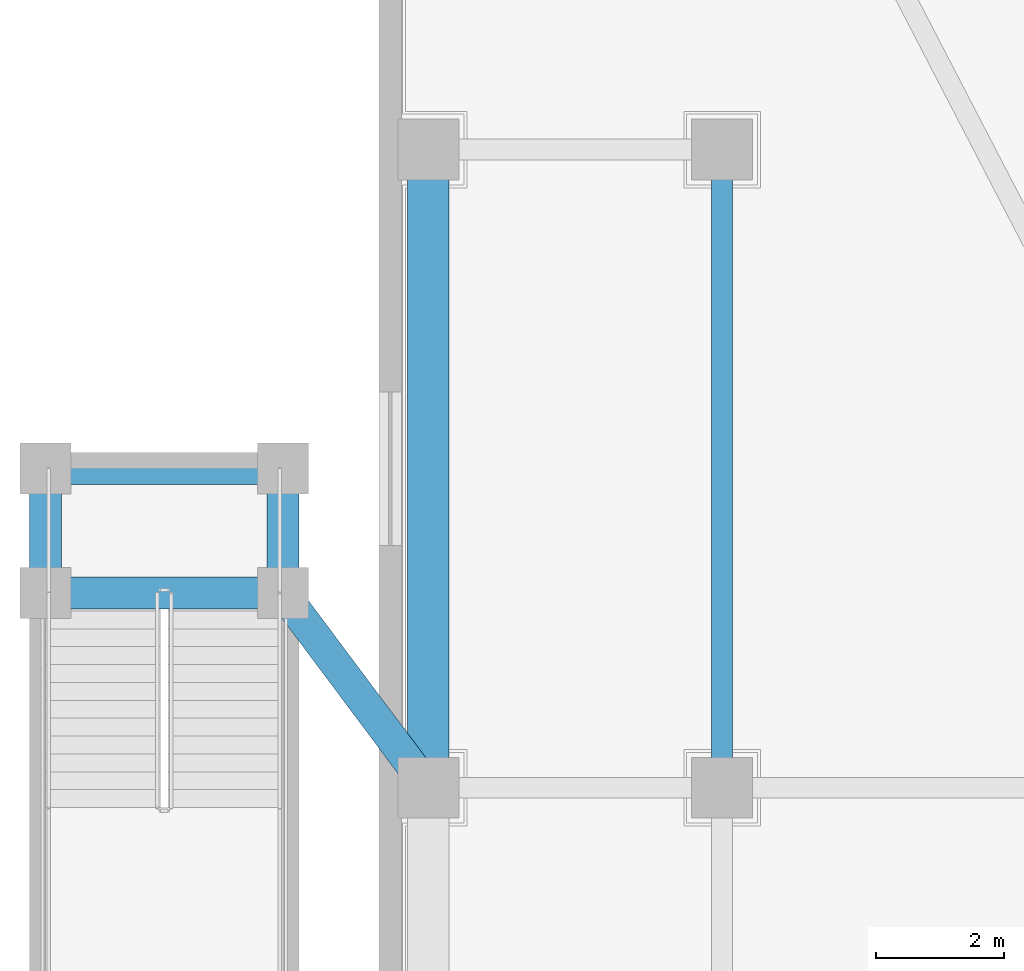
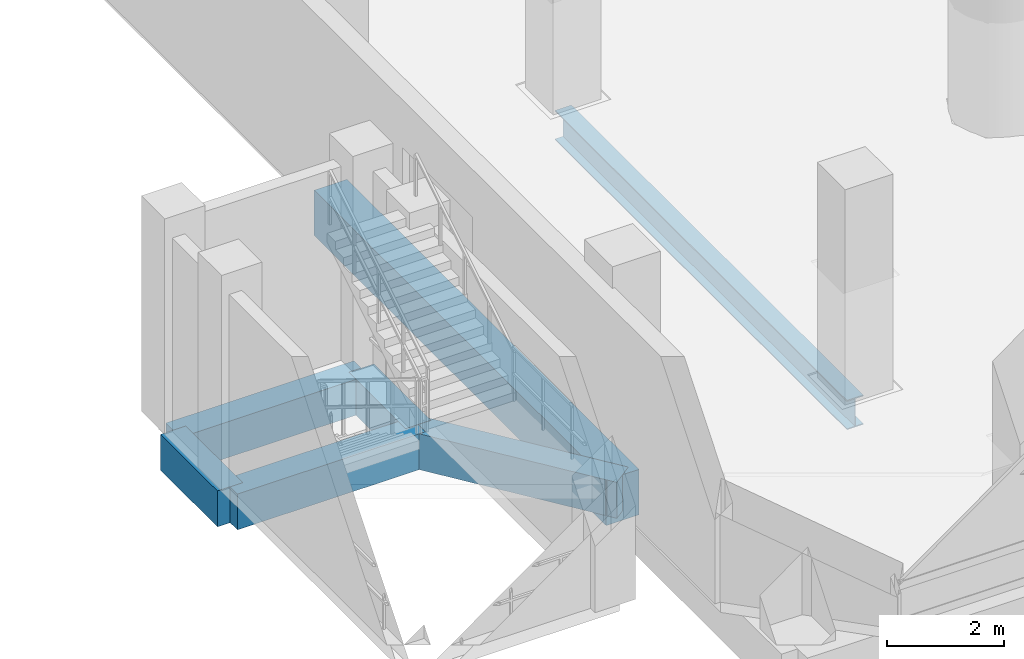
# One storey, part 3 of 36: 7 beams.
"""IFC4 building model written with IfcOpenShell, lengths in metres."""

from ifc_helpers import new_model, si_unit, direction, frame, origin, origin_2d, place, context, subcontext, project, spatial, rectangle, i_section, extrude, material, material_profile, profile_set, type_object, element, save


model = new_model("IFC4")

# Units and contexts
model_context = context("Model", 3, precision=1e-05, world=origin(), true_north=direction((-0.2419218956, 0.970295726276)))
body_context = subcontext(model_context, "Body", "Model", "MODEL_VIEW")
ifc_project = project(units=[si_unit("LENGTHUNIT", "METRE"), si_unit("AREAUNIT", "SQUARE_METRE"), si_unit("VOLUMEUNIT", "CUBIC_METRE"), si_unit("PLANEANGLEUNIT", "RADIAN"), si_unit("MASSUNIT", "GRAM", prefix="KILO")], contexts=[model_context])

# Site, building, storey
site_placement = place(None, origin())
site = spatial("IfcSite", under=ifc_project, at=site_placement, CompositionType="ELEMENT")
building_placement = place(site_placement, origin())
building = spatial("IfcBuilding", under=site, at=building_placement, Name="Cobrevalo Terracotta Tower", CompositionType="ELEMENT")
storey_placement = place(building_placement, frame((0.0, 0.0, 14.39990234375)))
storey = spatial("IfcBuildingStorey", under=building, at=storey_placement, Name="L03", CompositionType="ELEMENT", Elevation=14.39990234375)

# Beams
ifc_material_1 = material(Name="Steel S355", Category="steel")
ifc_material_profile_1 = material_profile(ifc_material_1, i_section(OverallWidth=0.324951171875, OverallDepth=0.615966796875, WebThickness=0.013916015625, FlangeThickness=0.021484375, at=origin_2d()), Name="W 610x174")
ifc_profile_set_1 = profile_set([ifc_material_profile_1], Name="Steel S355")
beam_type_1 = type_object("IfcBeamType", Name="Structural Beam W 610x174 (Steel S355)", PredefinedType="BEAM", material=ifc_profile_set_1)
beam_1_placement = place(storey_placement, frame((9.0, 8.800048828125, -0.60791015625), z_axis=(0.0, 1.0, 0.0), x_axis=(-1.0, 0.0, 0.0)))
element("IfcBeam", 1, at=beam_1_placement, inside=storey, type_object=beam_type_1, Name="L03 podium grid beam G2-GB to G2-GC", PredefinedType="BEAM", context=body_context, shape_type="SweptSolid", body=[
    extrude(i_section(OverallWidth=0.324951171875, OverallDepth=0.615966796875, WebThickness=0.013916015625, FlangeThickness=0.021484375, at=origin_2d()), origin(), (0.0, 0.0, 1.0), 10.0),
])
ifc_material_2 = material(Name="Concrete C50", Category="concrete")
ifc_material_profile_2 = material_profile(ifc_material_2, rectangle(XDim=0.64990234375, YDim=0.949951171875, at=origin_2d()), Name="RC BM 650x950")
ifc_profile_set_2 = profile_set([ifc_material_profile_2], Name="Concrete C50")
beam_type_2 = type_object("IfcBeamType", Name="Structural Spandrel RC BM 650x950 (Concrete C50)", PredefinedType="SPANDREL", material=ifc_profile_set_2)
beam_2_placement = place(storey_placement, frame((4.39990234375, 8.800048828125, -0.77490234375), z_axis=(0.0, 1.0, 0.0), x_axis=(-1.0, 0.0, 0.0)))
element("IfcBeam", 2, at=beam_2_placement, inside=storey, type_object=beam_type_2, Name="L03 podium grid beam G1-GB to G1-GC", PredefinedType="SPANDREL", context=body_context, shape_type="SweptSolid", body=[
    extrude(rectangle(XDim=0.64990234375, YDim=0.949951171875, at=origin_2d()), origin(), (0.0, 0.0, 1.0), 10.0),
])
ifc_material_profile_3 = material_profile(ifc_material_2, rectangle(XDim=0.5, YDim=0.75, at=origin_2d()), Name="RC BM 500x750")
ifc_profile_set_3 = profile_set([ifc_material_profile_3], Name="Concrete C50")
beam_type_3 = type_object("IfcBeamType", Name="Structural T Beam RC BM 500x750 (Concrete C50)", PredefinedType="T_BEAM", material=ifc_profile_set_3)
for number, where, z_axis, x_axis, name in (
    (3, (-1.60009765625, 11.85009765625, -0.6748046875), (0.0, 1.0, 0.0), (-1.0, 0.0, 0.0), "L03 garden stair landing side beam W1"),
    (4, (2.1201171875, 11.85009765625, -0.6748046875), (0.0, 1.0, 0.0), (-1.0, 0.0, 0.0), "L03 garden stair landing side beam W2"),
):
    element("IfcBeam", number, at=place(storey_placement, frame(where, z_axis=z_axis, x_axis=x_axis)), inside=storey, type_object=beam_type_3, Name=name, PredefinedType="T_BEAM", context=body_context, shape_type="SweptSolid", body=[
        extrude(rectangle(XDim=0.5, YDim=0.75, at=origin_2d()), origin(), (0.0, 0.0, 1.0), 1.949951171875),
    ])
for number, where, z_axis, x_axis, name in (
    (5, (-1.60009765625, 11.85009765625, -0.6748046875), (1.0, 0.0, 0.0), (0.0, 1.0, 0.0), "L03 garden stair shaft header beam WS"),
    (6, (-1.60009765625, 13.800048828125, -0.6748046875), (1.0, 0.0, 0.0), (0.0, 1.0, 0.0), "L03 garden stair shaft header beam WN"),
):
    element("IfcBeam", number, at=place(storey_placement, frame(where, z_axis=z_axis, x_axis=x_axis)), inside=storey, type_object=beam_type_3, Name=name, PredefinedType="T_BEAM", context=body_context, shape_type="SweptSolid", body=[
        extrude(rectangle(XDim=0.5, YDim=0.75, at=origin_2d()), origin(), (0.0, 0.0, 1.0), 3.72021484375),
    ])
beam_3_placement = place(storey_placement, frame((2.1201171875, 11.85009765625, -0.6748046875), z_axis=(0.59869640819, -0.800976036359, 0.0), x_axis=(0.800976036359, 0.59869640819, 0.0)))
element("IfcBeam", 7, at=beam_3_placement, inside=storey, type_object=beam_type_3, Name="L03 garden stair frame tie beam W1", PredefinedType="T_BEAM", context=body_context, shape_type="SweptSolid", body=[
    extrude(rectangle(XDim=0.5, YDim=0.75, at=origin_2d()), origin(), (0.0, 0.0, 1.0), 3.807861328125),
])

save(model, "model.ifc")
